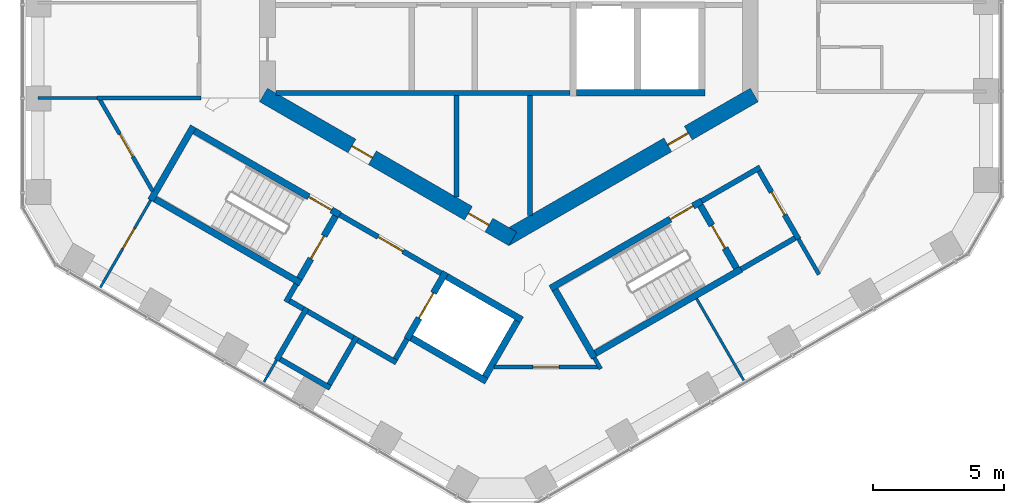
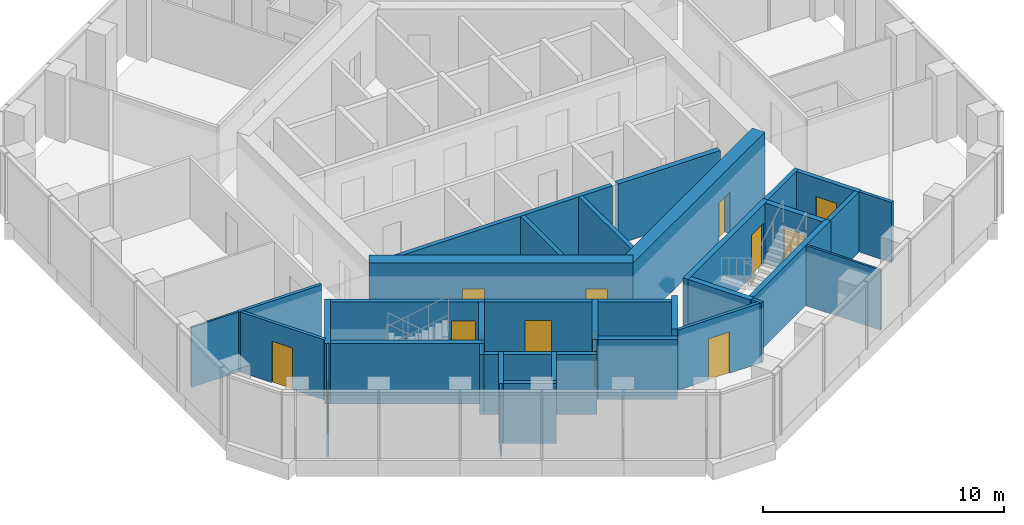
# One storey, part 14 of 18: 39 walls, 13 doors, 13 openings.
"""IFC4 building model written with IfcOpenShell, lengths in metres."""

import ifcopenshell
import ifcopenshell.guid

model = None  # the IFC model being written
_history = None  # IfcOwnerHistory: only IFC2X3 demands one
_inside = {}  # id of a spatial element -> (the spatial element, [elements in it])
_under = {}  # id of a project, library or spatial element -> (it, [spatial elements below it])
_declared = {}  # id of a project -> (the project, [libraries it declares])
_typed = {}  # id of a type object -> (the type object, [elements of that type])
_made_of = {}  # id of a material, layer set ... -> (it, [elements and type objects made of it])


def new_model(schema):
    """Start an empty IFC model of exactly this schema.

    Asked for "IFC4X3", IfcOpenShell would pick the latest addendum, in which some entities
    have other attributes; the version numbers below select the first issue.
    IFC2X3 requires an IfcOwnerHistory on every rooted entity: one is made here for all.
    """
    global model, _history
    if schema == "IFC4X3":
        model = ifcopenshell.file(schema_version=(4, 3, 0, 0))
    else:
        model = ifcopenshell.file(schema=schema)
    _inside.clear()
    _under.clear()
    _declared.clear()
    _typed.clear()
    _made_of.clear()
    _history = None
    if model.schema == "IFC2X3":
        org = make("IfcOrganization", Name="unknown")
        user = make(
            "IfcPersonAndOrganization",
            ThePerson=make("IfcPerson", FamilyName="unknown"),
            TheOrganization=org,
        )
        app = make(
            "IfcApplication",
            ApplicationDeveloper=org,
            Version="unknown",
            ApplicationFullName="unknown",
            ApplicationIdentifier="unknown",
        )
        _history = make(
            "IfcOwnerHistory",
            OwningUser=user,
            OwningApplication=app,
            ChangeAction="ADDED",
            CreationDate=0,
        )
    return model


def make(cls, **values):
    """One entity of the class cls with the attributes given. An attribute that is None is left unset."""
    return model.create_entity(
        cls, **{name: value for name, value in values.items() if value is not None}
    )


def rooted(cls, **values):
    """An entity with a GlobalId (a new one), such as an element, a storey or a relation."""
    return make(cls, GlobalId=ifcopenshell.guid.new(), OwnerHistory=_history, **values)


def si_unit(unit_type, name, prefix=None):
    """IfcSIUnit, for example si_unit("LENGTHUNIT", "METRE", prefix="MILLI")."""
    return make("IfcSIUnit", UnitType=unit_type, Prefix=prefix, Name=name)


def assignment(units):
    """IfcUnitAssignment: the units of a project."""
    return None if units is None else make("IfcUnitAssignment", Units=units)


def point(xyz):
    """IfcCartesianPoint."""
    return None if xyz is None else make("IfcCartesianPoint", Coordinates=xyz)


def direction(xyz):
    """IfcDirection."""
    return None if xyz is None else make("IfcDirection", DirectionRatios=xyz)


def frame(location, z_axis=None, x_axis=None):
    """IfcAxis2Placement3D, a coordinate frame: its origin and axes. An axis left out is left unset."""
    return make(
        "IfcAxis2Placement3D",
        Location=point(location),
        Axis=direction(z_axis),
        RefDirection=direction(x_axis),
    )


def frame_2d(location, x_axis=None):
    """IfcAxis2Placement2D, a coordinate frame in the plane: its origin and x axis."""
    return make(
        "IfcAxis2Placement2D", Location=point(location), RefDirection=direction(x_axis)
    )


def origin():
    """The frame at (0, 0, 0) with its axes left unset."""
    return frame((0.0, 0.0, 0.0))


def place(relative_to, where):
    """IfcLocalPlacement: puts the frame where relative to a parent placement (None: the world)."""
    return make(
        "IfcLocalPlacement", PlacementRelTo=relative_to, RelativePlacement=where
    )


def context(
    kind, dimensions, precision=None, world=None, true_north=None, identifier=None
):
    """IfcGeometricRepresentationContext, for example the 3D "Model" context."""
    return make(
        "IfcGeometricRepresentationContext",
        ContextIdentifier=identifier,
        ContextType=kind,
        CoordinateSpaceDimension=dimensions,
        Precision=precision,
        WorldCoordinateSystem=world,
        TrueNorth=true_north,
    )


def subcontext(parent, identifier, kind, view, scale=None):
    """IfcGeometricRepresentationSubContext, for example "Body" below "Model"."""
    return make(
        "IfcGeometricRepresentationSubContext",
        ContextIdentifier=identifier,
        ContextType=kind,
        ParentContext=parent,
        TargetScale=scale,
        TargetView=view,
    )


def project(units=None, contexts=None):
    """IfcProject with its units and contexts."""
    return rooted(
        "IfcProject",
        Name="project",
        RepresentationContexts=contexts,
        UnitsInContext=assignment(units),
    )


def spatial(cls, under=None, at=None, **own):
    """A site, building, storey or space (cls), placed at a placement, below another one or the project."""
    s = rooted(cls, ObjectPlacement=at, **own)
    if under is not None:
        _under.setdefault(under.id(), (under, []))[1].append(s)
    return s


def profile(cls, at=None, kind="AREA", **sizes):
    """A parametric profile (cls). Its sizes go by their IFC names, for example OverallWidth=200.0."""
    return make(cls, ProfileType=kind, Position=at, **sizes)


def rectangle(**sizes):
    """IfcRectangleProfileDef."""
    return profile("IfcRectangleProfileDef", **sizes)


def extrude(swept, where, along, depth):
    """IfcExtrudedAreaSolid: the profile swept, set in the frame where, extruded along a direction by depth."""
    return make(
        "IfcExtrudedAreaSolid",
        SweptArea=swept,
        Position=where,
        ExtrudedDirection=direction(along),
        Depth=depth,
    )


def shape(context_of_items, identifier, shape_type, items):
    """IfcShapeRepresentation: the items that make up one representation, for example the "Body"."""
    return make(
        "IfcShapeRepresentation",
        ContextOfItems=context_of_items,
        RepresentationIdentifier=identifier,
        RepresentationType=shape_type,
        Items=items,
    )


def material(Name=None, Category=None):
    """IfcMaterial."""
    return make("IfcMaterial", Name=Name, Category=Category)


def layer(
    of_material, thickness, ventilated=None, Name=None, Category=None, Priority=None
):
    """IfcMaterialLayer: one layer of a wall or slab, of a material (None: an air gap)."""
    return make(
        "IfcMaterialLayer",
        Material=of_material,
        LayerThickness=thickness,
        IsVentilated=ventilated,
        Name=Name,
        Category=Category,
        Priority=Priority,
    )


def layer_set(layers, Name=None):
    """IfcMaterialLayerSet."""
    return make("IfcMaterialLayerSet", MaterialLayers=layers, LayerSetName=Name)


def made_of(thing, what):
    """Note that an element or type object is made of a material, layer set ...; save() writes the relation."""
    if what is not None:
        _made_of.setdefault(what.id(), (what, []))[1].append(thing)
    return thing


def type_object(cls, material=None, **own):
    """A type object (cls), such as IfcWallType, which elements share."""
    return made_of(rooted(cls, **own), material)


def element(
    cls,
    number,
    at=None,
    inside=None,
    cuts=None,
    type_object=None,
    material=None,
    context=None,
    identifier="Body",
    shape_type=None,
    held_by="IfcProductDefinitionShape",
    body=None,
    shapes=None,
    **own,
):
    """One element of the class cls, such as IfcWall. Its Tag is "e" and its number.

    at: its placement. inside: the storey or other place that contains it. cuts: it is an
    opening in that element (IfcRelVoidsElement). A single representation is given by context,
    identifier, shape_type and body (its items); several are given by shapes. held_by: the class
    of the entity that holds the representations. save() writes the other relations.
    """
    e = rooted(cls, Tag="e%d" % number, ObjectPlacement=at, **own)
    if body is not None:
        shapes = [shape(context, identifier, shape_type, body)]
    if shapes is not None:
        e.Representation = make(held_by, Representations=shapes)
    if inside is not None:
        _inside.setdefault(inside.id(), (inside, []))[1].append(e)
    if cuts is not None:
        rooted(
            "IfcRelVoidsElement", RelatingBuildingElement=cuts, RelatedOpeningElement=e
        )
    if type_object is not None:
        _typed.setdefault(type_object.id(), (type_object, []))[1].append(e)
    return made_of(e, material)


def fill(opening, filler):
    """IfcRelFillsElement: the door or window that sits in an opening."""
    return rooted(
        "IfcRelFillsElement",
        RelatingOpeningElement=opening,
        RelatedBuildingElement=filler,
    )


def aggregate(whole, parts):
    """IfcRelAggregates: a whole, such as a stair, and the parts it consists of."""
    return rooted("IfcRelAggregates", RelatingObject=whole, RelatedObjects=parts)


def save(model, path):
    """Write the relations noted so far, then the file.

    IfcRelAggregates (storeys below a building ...), IfcRelContainedInSpatialStructure (elements
    in a storey), IfcRelDefinesByType, IfcRelAssociatesMaterial and IfcRelDeclares: one each for
    every whole, place, type object, material and project.
    """
    for whole, parts in _under.values():
        aggregate(whole, parts)
    for where, things in _inside.values():
        rooted(
            "IfcRelContainedInSpatialStructure",
            RelatedElements=things,
            RelatingStructure=where,
        )
    for kind, things in _typed.values():
        rooted("IfcRelDefinesByType", RelatedObjects=things, RelatingType=kind)
    for what, things in _made_of.values():
        rooted("IfcRelAssociatesMaterial", RelatedObjects=things, RelatingMaterial=what)
    for by, libraries in _declared.values():
        rooted("IfcRelDeclares", RelatingContext=by, RelatedDefinitions=libraries)
    model.write(path)


model = new_model("IFC4")

# Units and contexts
model_context = context("Model", 3, precision=1e-05, world=origin(), true_north=direction((0.0, 1.0)))
body_context = subcontext(model_context, "Body", "Model", "MODEL_VIEW")
ifc_project = project(units=[si_unit("LENGTHUNIT", "METRE"), si_unit("AREAUNIT", "SQUARE_METRE"), si_unit("VOLUMEUNIT", "CUBIC_METRE"), si_unit("PLANEANGLEUNIT", "RADIAN"), si_unit("MASSUNIT", "GRAM", prefix="KILO")], contexts=[model_context])

# Site, building, storey
site_placement = place(None, origin())
site = spatial("IfcSite", under=ifc_project, at=site_placement, CompositionType="ELEMENT")
building_placement = place(site_placement, origin())
building = spatial("IfcBuilding", under=site, at=building_placement, Name="Ayvan Gate Tower", CompositionType="ELEMENT")
storey_placement = place(building_placement, frame((0.0, 0.0, 166.300048828125)))
storey = spatial("IfcBuildingStorey", under=building, at=storey_placement, Name="L44", CompositionType="ELEMENT", Elevation=166.300048828125)

# Wall, openings, doors
ifc_material_1 = material(Name="Concrete C60/75", Category="concrete")
ifc_layer_1 = layer(ifc_material_1, 0.60009765625)
ifc_layer_set_1 = layer_set([ifc_layer_1], Name="Concrete C60/75")
wall_type_1 = type_object("IfcWallType", Name="Core wall 600 C60/75", PredefinedType="SHEAR", material=ifc_layer_set_1)
wall_1_placement = place(storey_placement, frame((-9.35009765625, -5.22509765625, 0.0), z_axis=(0.0, 0.0, 1.0), x_axis=(0.866023993627, -0.500002442456, 0.0)))
wall_1 = element("IfcWall", 1, at=wall_1_placement, inside=storey, type_object=wall_type_1, Name="CORE-L44-4", PredefinedType="SHEAR", context=body_context, shape_type="SweptSolid", body=[
    extrude(rectangle(XDim=10.9697265625, YDim=0.60009765625, at=frame_2d((5.48486328125, 0.0))), origin(), (0.0, 0.0, 1.0), 3.39990234375),
])
opening_1_placement = place(wall_1_placement, frame((3.891357421875, 0.0, 0.0)))
opening_1 = element("IfcOpeningElement", 2, at=opening_1_placement, cuts=wall_1, Name="Opening L44-D41", PredefinedType="OPENING", context=body_context, shape_type="SweptSolid", body=[
    extrude(rectangle(XDim=0.89990234375, YDim=2.10009765625, at=frame_2d((0.449951171875, 1.050048828125))), frame((0.0, 0.31005859375, 0.0), z_axis=(0.0, -1.0, 0.0), x_axis=(1.0, 0.0, 0.0)), (0.0, 0.0, 1.0), 0.6201171875),
])
opening_2_placement = place(wall_1_placement, frame((9.01806640625, 0.0, 0.0)))
opening_2 = element("IfcOpeningElement", 3, at=opening_2_placement, cuts=wall_1, Name="Opening L44-D42", PredefinedType="OPENING", context=body_context, shape_type="SweptSolid", body=[
    extrude(rectangle(XDim=0.89990234375, YDim=2.10009765625, at=frame_2d((0.449951171875, 1.050048828125))), frame((0.0, 0.31005859375, 0.0), z_axis=(0.0, -1.0, 0.0), x_axis=(1.0, 0.0, 0.0)), (0.0, 0.0, 1.0), 0.6201171875),
])
ifc_material_2 = material(Name="Timber door leaf", Category="wood")
door_type_1 = type_object("IfcDoorType", Name="DT-900", OperationType="NOTDEFINED", PredefinedType="DOOR", material=ifc_material_2)
door_1_placement = place(opening_1_placement, origin())
door_1 = element("IfcDoor", 4, at=door_1_placement, inside=storey, type_object=door_type_1, Name="CD-L44-41", OperationType="SINGLE_SWING_LEFT", OverallHeight=2.10009765625, OverallWidth=0.89990234375, PredefinedType="DOOR", context=body_context, shape_type="SweptSolid", body=[
    extrude(rectangle(XDim=0.89990234375, YDim=2.10009765625, at=frame_2d((0.449951171875, 1.050048828125))), frame((0.0, 0.02490234375, 0.0), z_axis=(0.0, -1.0, 0.0), x_axis=(1.0, 0.0, 0.0)), (0.0, 0.0, 1.0), 0.050048828125),
])
fill(opening_1, door_1)
door_2_placement = place(opening_2_placement, origin())
door_2 = element("IfcDoor", 5, at=door_2_placement, inside=storey, type_object=door_type_1, Name="CD-L44-42", OperationType="SINGLE_SWING_RIGHT", OverallHeight=2.10009765625, OverallWidth=0.89990234375, PredefinedType="DOOR", context=body_context, shape_type="SweptSolid", body=[
    extrude(rectangle(XDim=0.89990234375, YDim=2.10009765625, at=frame_2d((0.449951171875, 1.050048828125))), frame((0.0, 0.02490234375, 0.0), z_axis=(0.0, -1.0, 0.0), x_axis=(1.0, 0.0, 0.0)), (0.0, 0.0, 1.0), 0.050048828125),
])
fill(opening_2, door_2)

# Wall, opening, door
wall_2_placement = place(storey_placement, frame((-0.14990234375, -10.7099609375, 0.0), z_axis=(0.0, 0.0, 1.0), x_axis=(0.866023993627, 0.500002442456, 0.0)))
wall_2 = element("IfcWall", 6, at=wall_2_placement, inside=storey, type_object=wall_type_1, Name="CORE-L44-5", PredefinedType="SHEAR", context=body_context, shape_type="SweptSolid", body=[
    extrude(rectangle(XDim=10.9697265625, YDim=0.60009765625, at=frame_2d((5.48486328125, 0.0))), origin(), (0.0, 0.0, 1.0), 3.39990234375),
])
opening_3_placement = place(wall_2_placement, frame((7.165771484375, 0.0, 0.0)))
opening_3 = element("IfcOpeningElement", 7, at=opening_3_placement, cuts=wall_2, Name="Opening L44-D43", PredefinedType="OPENING", context=body_context, shape_type="SweptSolid", body=[
    extrude(rectangle(XDim=0.89990234375, YDim=2.10009765625, at=frame_2d((0.449951171875, 1.050048828125))), frame((0.0, 0.31005859375, 0.0), z_axis=(0.0, -1.0, 0.0), x_axis=(1.0, 0.0, 0.0)), (0.0, 0.0, 1.0), 0.6201171875),
])
door_3_placement = place(opening_3_placement, origin())
door_3 = element("IfcDoor", 8, at=door_3_placement, inside=storey, type_object=door_type_1, Name="CD-L44-43", OperationType="SINGLE_SWING_LEFT", OverallHeight=2.10009765625, OverallWidth=0.89990234375, PredefinedType="DOOR", context=body_context, shape_type="SweptSolid", body=[
    extrude(rectangle(XDim=0.89990234375, YDim=2.10009765625, at=frame_2d((0.449951171875, 1.050048828125))), frame((0.0, 0.02490234375, 0.0), z_axis=(0.0, -1.0, 0.0), x_axis=(1.0, 0.0, 0.0)), (0.0, 0.0, 1.0), 0.050048828125),
])
fill(opening_3, door_3)

# Wall
ifc_material_3 = material(Name="Plasterboard on steel stud", Category="steel")
ifc_layer_2 = layer(ifc_material_3, 0.14990234375)
ifc_layer_set_2 = layer_set([ifc_layer_2], Name="Plasterboard on steel stud")
wall_type_2 = type_object("IfcWallType", Name="WT-CORR-150", PredefinedType="PARTITIONING", material=ifc_layer_set_2)
wall_3_placement = place(storey_placement, frame((-15.695068359375, -5.343017578125, 0.0), z_axis=(0.0, 0.0, 1.0), x_axis=(1.0, 0.0, 0.0)))
element("IfcWall", 9, at=wall_3_placement, inside=storey, type_object=wall_type_2, Name="IW-L44-003", PredefinedType="PARTITIONING", context=body_context, shape_type="SweptSolid", body=[
    extrude(rectangle(XDim=3.97021484375, YDim=0.14990234375, at=frame_2d((1.985107421875, 0.0))), origin(), (0.0, 0.0, 1.0), 3.050048828125),
])

# Wall, opening, door
wall_4_placement = place(storey_placement, frame((-13.57177734375, -8.890625, 0.0), z_axis=(0.0, 0.0, 1.0), x_axis=(-0.500004480819, 0.866022816767, 0.0)))
wall_4 = element("IfcWall", 10, at=wall_4_placement, inside=storey, type_object=wall_type_2, Name="IW-L44-006", PredefinedType="PARTITIONING", context=body_context, shape_type="SweptSolid", body=[
    extrude(rectangle(XDim=4.021484375, YDim=0.14990234375, at=frame_2d((2.0107421875, 0.0))), origin(), (0.0, 0.0, 1.0), 3.050048828125),
])
opening_4_placement = place(wall_4_placement, frame((1.5107421875, 0.0, 0.0)))
opening_4 = element("IfcOpeningElement", 11, at=opening_4_placement, cuts=wall_4, Name="Opening L44-D30", PredefinedType="OPENING", context=body_context, shape_type="SweptSolid", body=[
    extrude(rectangle(XDim=1.0, YDim=2.10009765625, at=frame_2d((0.5, 1.050048828125))), frame((0.0, 0.0849609375, 0.0), z_axis=(0.0, -1.0, 0.0), x_axis=(1.0, 0.0, 0.0)), (0.0, 0.0, 1.0), 0.169921875),
])
door_type_2 = type_object("IfcDoorType", Name="DT-1000", OperationType="NOTDEFINED", PredefinedType="DOOR", material=ifc_material_2)
door_4_placement = place(opening_4_placement, origin())
door_4 = element("IfcDoor", 12, at=door_4_placement, inside=storey, type_object=door_type_2, Name="ID-L44-030", OperationType="SINGLE_SWING_RIGHT", OverallHeight=2.10009765625, OverallWidth=1.0, PredefinedType="DOOR", context=body_context, shape_type="SweptSolid", body=[
    extrude(rectangle(XDim=1.0, YDim=2.10009765625, at=frame_2d((0.5, 1.050048828125))), frame((0.0, 0.02490234375, 0.0), z_axis=(0.0, -1.0, 0.0), x_axis=(1.0, 0.0, 0.0)), (0.0, 0.0, 1.0), 0.050048828125),
])
fill(opening_4, door_4)

# Wall
wall_5_placement = place(storey_placement, frame((3.255615234375, -15.23876953125, 0.0), z_axis=(0.0, 0.0, 1.0), x_axis=(0.499937760689, -0.866061334686, 0.0)))
element("IfcWall", 13, at=wall_5_placement, inside=storey, type_object=wall_type_2, Name="IW-L44-061", PredefinedType="PARTITIONING", context=body_context, shape_type="SweptSolid", body=[
    extrude(rectangle(XDim=0.49072265625, YDim=0.14990234375, at=frame_2d((0.245361328125, 0.0))), origin(), (0.0, 0.0, 1.0), 3.050048828125),
])

# Wall, opening, door
wall_6_placement = place(storey_placement, frame((3.388427734375, -15.598876953125, 0.0), z_axis=(0.0, 0.0, 1.0), x_axis=(-1.0, 0.0, 0.0)))
wall_6 = element("IfcWall", 14, at=wall_6_placement, inside=storey, type_object=wall_type_2, Name="IW-L44-063", PredefinedType="PARTITIONING", context=body_context, shape_type="SweptSolid", body=[
    extrude(rectangle(XDim=3.95556640625, YDim=0.14990234375, at=frame_2d((1.977783203125, 0.0))), origin(), (0.0, 0.0, 1.0), 3.050048828125),
])
opening_5_placement = place(wall_6_placement, frame((1.477783203125, 0.0, 0.0)))
opening_5 = element("IfcOpeningElement", 15, at=opening_5_placement, cuts=wall_6, Name="Opening L44-D32", PredefinedType="OPENING", context=body_context, shape_type="SweptSolid", body=[
    extrude(rectangle(XDim=1.0, YDim=2.10009765625, at=frame_2d((0.5, 1.050048828125))), frame((0.0, 0.0849609375, 0.0), z_axis=(0.0, -1.0, 0.0), x_axis=(1.0, 0.0, 0.0)), (0.0, 0.0, 1.0), 0.169921875),
])
door_5_placement = place(opening_5_placement, origin())
door_5 = element("IfcDoor", 16, at=door_5_placement, inside=storey, type_object=door_type_2, Name="ID-L44-032", OperationType="SINGLE_SWING_RIGHT", OverallHeight=2.10009765625, OverallWidth=1.0, PredefinedType="DOOR", context=body_context, shape_type="SweptSolid", body=[
    extrude(rectangle(XDim=1.0, YDim=2.10009765625, at=frame_2d((0.5, 1.050048828125))), frame((0.0, 0.02490234375, 0.0), z_axis=(0.0, -1.0, 0.0), x_axis=(1.0, 0.0, 0.0)), (0.0, 0.0, 1.0), 0.050048828125),
])
fill(opening_5, door_5)

# Walls
wall_7_placement = place(storey_placement, frame((11.814697265625, -12.063720703125, 0.0), z_axis=(0.0, 0.0, 1.0), x_axis=(-0.499921796684, 0.866070549782, 0.0)))
element("IfcWall", 17, at=wall_7_placement, inside=storey, type_object=wall_type_2, Name="IW-L44-085", PredefinedType="PARTITIONING", context=body_context, shape_type="SweptSolid", body=[
    extrude(rectangle(XDim=1.554931640625, YDim=0.14990234375, at=frame_2d((0.77734375, 0.0))), origin(), (0.0, 0.0, 1.0), 3.050048828125),
])
ifc_layer_3 = layer(ifc_material_3, 0.10009765625)
ifc_layer_set_3 = layer_set([ifc_layer_3], Name="Plasterboard on steel stud")
wall_type_3 = type_object("IfcWallType", Name="WT-PART-100", PredefinedType="PARTITIONING", material=ifc_layer_set_3)
wall_8_placement = place(storey_placement, frame((-15.695068359375, -5.343017578125, 0.0), z_axis=(0.0, 0.0, 1.0), x_axis=(-1.0, 0.0, 0.0)))
element("IfcWall", 18, at=wall_8_placement, inside=storey, type_object=wall_type_3, Name="IW-L44-002", PredefinedType="PARTITIONING", context=body_context, shape_type="SweptSolid", body=[
    extrude(rectangle(XDim=2.254150390625, YDim=0.10009765625, at=frame_2d((1.126953125, 0.0))), origin(), (0.0, 0.0, 1.0), 3.050048828125),
])

# Wall, opening, door
wall_9_placement = place(storey_placement, frame((-13.647705078125, -9.23876953125, 0.0), z_axis=(0.0, 0.0, 1.0), x_axis=(-0.500044099915, -0.86599994119, 0.0)))
wall_9 = element("IfcWall", 19, at=wall_9_placement, inside=storey, type_object=wall_type_3, Name="IW-L44-005", PredefinedType="PARTITIONING", context=body_context, shape_type="SweptSolid", body=[
    extrude(rectangle(XDim=3.832763671875, YDim=0.10009765625, at=frame_2d((1.91650390625, 0.0))), origin(), (0.0, 0.0, 1.0), 3.050048828125),
])
opening_6_placement = place(wall_9_placement, frame((1.230712890625, 0.0, 0.0)))
opening_6 = element("IfcOpeningElement", 20, at=opening_6_placement, cuts=wall_9, Name="Opening L44-D31", PredefinedType="OPENING", context=body_context, shape_type="SweptSolid", body=[
    extrude(rectangle(XDim=0.89990234375, YDim=2.10009765625, at=frame_2d((0.449951171875, 1.050048828125))), frame((0.0, 0.06005859375, 0.0), z_axis=(0.0, -1.0, 0.0), x_axis=(1.0, 0.0, 0.0)), (0.0, 0.0, 1.0), 0.1201171875),
])
door_6_placement = place(opening_6_placement, origin())
door_6 = element("IfcDoor", 21, at=door_6_placement, inside=storey, type_object=door_type_1, Name="ID-L44-031", OperationType="SINGLE_SWING_LEFT", OverallHeight=2.10009765625, OverallWidth=0.89990234375, PredefinedType="DOOR", context=body_context, shape_type="SweptSolid", body=[
    extrude(rectangle(XDim=0.89990234375, YDim=2.10009765625, at=frame_2d((0.449951171875, 1.050048828125))), frame((0.0, 0.02490234375, 0.0), z_axis=(0.0, -1.0, 0.0), x_axis=(1.0, 0.0, 0.0)), (0.0, 0.0, 1.0), 0.050048828125),
])
fill(opening_6, door_6)

# Walls
wall_10_placement = place(storey_placement, frame((-8.85009765625, -15.32861328125, 0.0), z_axis=(0.0, 0.0, 1.0), x_axis=(-0.499950501706, -0.866053979752, 0.0)))
element("IfcWall", 22, at=wall_10_placement, inside=storey, type_object=wall_type_3, Name="IW-L44-017", PredefinedType="PARTITIONING", context=body_context, shape_type="SweptSolid", body=[
    extrude(rectangle(XDim=0.95751953125, YDim=0.10009765625, at=frame_2d((0.478759765625, 0.0))), origin(), (0.0, 0.0, 1.0), 3.050048828125),
])
wall_11_placement = place(storey_placement, frame((7.152587890625, -12.98876953125, 0.0), z_axis=(0.0, 0.0, 1.0), x_axis=(0.500002649256, -0.86602387423, 0.0)))
element("IfcWall", 23, at=wall_11_placement, inside=storey, type_object=wall_type_3, Name="IW-L44-072", PredefinedType="PARTITIONING", context=body_context, shape_type="SweptSolid", body=[
    extrude(rectangle(XDim=3.59521484375, YDim=0.10009765625, at=frame_2d((1.797607421875, 0.0))), origin(), (0.0, 0.0, 1.0), 3.050048828125),
])
ifc_layer_4 = layer(ifc_material_3, 0.199951171875)
ifc_layer_set_4 = layer_set([ifc_layer_4], Name="Plasterboard on steel stud")
wall_type_4 = type_object("IfcWallType", Name="WT-PLUMB-200", PredefinedType="PLUMBINGWALL", material=ifc_layer_set_4)
wall_12_placement = place(storey_placement, frame((-8.85009765625, -15.32861328125, 0.0), z_axis=(0.0, 0.0, 1.0), x_axis=(0.500077740698, 0.865980515519, 0.0)))
element("IfcWall", 24, at=wall_12_placement, inside=storey, type_object=wall_type_4, Name="IW-L44-016", PredefinedType="PLUMBINGWALL", context=body_context, shape_type="SweptSolid", body=[
    extrude(rectangle(XDim=2.300048828125, YDim=0.199951171875, at=frame_2d((1.14990234375, 0.0))), origin(), (0.0, 0.0, 1.0), 3.050048828125),
])
wall_13_placement = place(storey_placement, frame((-6.80810546875, -16.39208984375, 0.0), z_axis=(0.0, 0.0, 1.0), x_axis=(-0.866008176907, 0.50002983664, 0.0)))
element("IfcWall", 25, at=wall_13_placement, inside=storey, type_object=wall_type_4, Name="IW-L44-024", PredefinedType="PLUMBINGWALL", context=body_context, shape_type="SweptSolid", body=[
    extrude(rectangle(XDim=2.199951171875, YDim=0.199951171875, at=frame_2d((1.10009765625, 0.0))), origin(), (0.0, 0.0, 1.0), 3.050048828125),
])
wall_14_placement = place(storey_placement, frame((-5.794677734375, -14.436767578125, 0.0), z_axis=(0.0, 0.0, 1.0), x_axis=(-0.500027713859, -0.866009402589, 0.0)))
element("IfcWall", 26, at=wall_14_placement, inside=storey, type_object=wall_type_4, Name="IW-L44-027", PredefinedType="PLUMBINGWALL", context=body_context, shape_type="SweptSolid", body=[
    extrude(rectangle(XDim=2.10009765625, YDim=0.199951171875, at=frame_2d((1.050048828125, 0.0))), origin(), (0.0, 0.0, 1.0), 3.050048828125),
])
wall_15_placement = place(storey_placement, frame((-5.931396484375, -14.473388671875, 0.0), z_axis=(0.0, 0.0, 1.0), x_axis=(-0.866041268327, 0.499972520799, 0.0)))
element("IfcWall", 27, at=wall_15_placement, inside=storey, type_object=wall_type_4, Name="IW-L44-028", PredefinedType="PLUMBINGWALL", context=body_context, shape_type="SweptSolid", body=[
    extrude(rectangle(XDim=2.0, YDim=0.199951171875, at=frame_2d((1.0, 0.0))), origin(), (0.0, 0.0, 1.0), 3.050048828125),
])
ifc_layer_5 = layer(ifc_material_3, 0.199951171875)
ifc_layer_set_5 = layer_set([ifc_layer_5], Name="Plasterboard on steel stud")
wall_type_5 = type_object("IfcWallType", Name="WT-RATED-200", PredefinedType="PARTITIONING", material=ifc_layer_set_5)
wall_16_placement = place(storey_placement, frame((-8.8798828125, -5.14990234375, 0.0), z_axis=(0.0, 0.0, 1.0), x_axis=(1.0, 0.0, 0.0)))
element("IfcWall", 28, at=wall_16_placement, inside=storey, type_object=wall_type_5, Name="IW-L44-015", PredefinedType="PARTITIONING", context=body_context, shape_type="SweptSolid", body=[
    extrude(rectangle(XDim=11.205078125, YDim=0.199951171875, at=frame_2d((5.6025390625, 0.0))), origin(), (0.0, 0.0, 1.0), 3.050048828125),
])
wall_17_placement = place(storey_placement, frame((-8.492919921875, -13.110107421875, 0.0), z_axis=(0.0, 0.0, 1.0), x_axis=(0.500067724834, 0.865986299303, 0.0)))
element("IfcWall", 29, at=wall_17_placement, inside=storey, type_object=wall_type_5, Name="IW-L44-018", PredefinedType="PARTITIONING", context=body_context, shape_type="SweptSolid", body=[
    extrude(rectangle(XDim=0.775390625, YDim=0.199951171875, at=frame_2d((0.3876953125, 0.0))), origin(), (0.0, 0.0, 1.0), 3.050048828125),
])
wall_18_placement = place(storey_placement, frame((-7.83642578125, -13.373291015625, 0.0), z_axis=(0.0, 0.0, 1.0), x_axis=(-0.866232998003, 0.499640263761, 0.0)))
element("IfcWall", 30, at=wall_18_placement, inside=storey, type_object=wall_type_5, Name="IW-L44-020", PredefinedType="PARTITIONING", context=body_context, shape_type="SweptSolid", body=[
    extrude(rectangle(XDim=0.60009765625, YDim=0.199951171875, at=frame_2d((0.300048828125, 0.0))), origin(), (0.0, 0.0, 1.0), 3.050048828125),
])

# Wall, opening, door
wall_19_placement = place(storey_placement, frame((-6.4345703125, -9.794921875, 0.0), z_axis=(0.0, 0.0, 1.0), x_axis=(0.866012907634, -0.500021643343, 0.0)))
wall_19 = element("IfcWall", 31, at=wall_19_placement, inside=storey, type_object=wall_type_5, Name="IW-L44-026", PredefinedType="PARTITIONING", context=body_context, shape_type="SweptSolid", body=[
    extrude(rectangle(XDim=4.449951171875, YDim=0.199951171875, at=frame_2d((2.22509765625, 0.0))), origin(), (0.0, 0.0, 1.0), 3.050048828125),
])
opening_7_placement = place(wall_19_placement, frame((1.675048828125, 0.0, 0.0)))
opening_7 = element("IfcOpeningElement", 32, at=opening_7_placement, cuts=wall_19, Name="Opening L44-D17", PredefinedType="OPENING", context=body_context, shape_type="SweptSolid", body=[
    extrude(rectangle(XDim=1.10009765625, YDim=2.10009765625, at=frame_2d((0.550048828125, 1.050048828125))), frame((0.0, 0.10986328125, 0.0), z_axis=(0.0, -1.0, 0.0), x_axis=(1.0, 0.0, 0.0)), (0.0, 0.0, 1.0), 0.219970703125),
])
door_type_3 = type_object("IfcDoorType", Name="DT-1100", OperationType="NOTDEFINED", PredefinedType="DOOR", material=ifc_material_2)
door_7_placement = place(opening_7_placement, origin())
door_7 = element("IfcDoor", 33, at=door_7_placement, inside=storey, type_object=door_type_3, Name="ID-L44-017", OperationType="SINGLE_SWING_LEFT", OverallHeight=2.10009765625, OverallWidth=1.10009765625, PredefinedType="DOOR", context=body_context, shape_type="SweptSolid", body=[
    extrude(rectangle(XDim=1.10009765625, YDim=2.10009765625, at=frame_2d((0.550048828125, 1.050048828125))), frame((0.0, 0.02490234375, 0.0), z_axis=(0.0, -1.0, 0.0), x_axis=(1.0, 0.0, 0.0)), (0.0, 0.0, 1.0), 0.050048828125),
])
fill(opening_7, door_7)

# Walls
wall_20_placement = place(storey_placement, frame((-4.285888671875, -15.42333984375, 0.0), z_axis=(0.0, 0.0, 1.0), x_axis=(-0.866025371046, 0.500000056704, 0.0)))
element("IfcWall", 34, at=wall_20_placement, inside=storey, type_object=wall_type_5, Name="IW-L44-030", PredefinedType="PARTITIONING", context=body_context, shape_type="SweptSolid", body=[
    extrude(rectangle(XDim=1.7001953125, YDim=0.199951171875, at=frame_2d((0.85009765625, 0.0))), origin(), (0.0, 0.0, 1.0), 3.050048828125),
])
wall_21_placement = place(storey_placement, frame((-3.885009765625, -14.52880859375, 0.0), z_axis=(0.0, 0.0, 1.0), x_axis=(-0.499859285417, -0.866106630146, 0.0)))
element("IfcWall", 35, at=wall_21_placement, inside=storey, type_object=wall_type_5, Name="IW-L44-032", PredefinedType="PARTITIONING", context=body_context, shape_type="SweptSolid", body=[
    extrude(rectangle(XDim=0.875244140625, YDim=0.199951171875, at=frame_2d((0.4375, 0.0))), origin(), (0.0, 0.0, 1.0), 3.050048828125),
])
wall_22_placement = place(storey_placement, frame((-2.0, -5.25, 0.0), z_axis=(0.0, 0.0, 1.0), x_axis=(0.0, -1.0, 0.0)))
element("IfcWall", 36, at=wall_22_placement, inside=storey, type_object=wall_type_5, Name="IW-L44-044", PredefinedType="PARTITIONING", context=body_context, shape_type="SweptSolid", body=[
    extrude(rectangle(XDim=3.8720703125, YDim=0.199951171875, at=frame_2d((1.93603515625, 0.0))), origin(), (0.0, 0.0, 1.0), 3.050048828125),
])
wall_23_placement = place(storey_placement, frame((0.800048828125, -5.25, 0.0), z_axis=(0.0, 0.0, 1.0), x_axis=(0.0, -1.0, 0.0)))
element("IfcWall", 37, at=wall_23_placement, inside=storey, type_object=wall_type_5, Name="IW-L44-052", PredefinedType="PARTITIONING", context=body_context, shape_type="SweptSolid", body=[
    extrude(rectangle(XDim=4.56494140625, YDim=0.199951171875, at=frame_2d((2.282470703125, 0.0))), origin(), (0.0, 0.0, 1.0), 3.050048828125),
])
wall_24_placement = place(storey_placement, frame((7.343994140625, -9.27001953125, 0.0), z_axis=(0.0, 0.0, 1.0), x_axis=(0.866005588531, 0.500034319456, 0.0)))
element("IfcWall", 38, at=wall_24_placement, inside=storey, type_object=wall_type_5, Name="IW-L44-075", PredefinedType="PARTITIONING", context=body_context, shape_type="SweptSolid", body=[
    extrude(rectangle(XDim=2.574951171875, YDim=0.199951171875, at=frame_2d((1.28759765625, 0.0))), origin(), (0.0, 0.0, 1.0), 3.050048828125),
])

# Wall, opening, door
wall_25_placement = place(storey_placement, frame((9.537353515625, -8.119140625, 0.0), z_axis=(0.0, 0.0, 1.0), x_axis=(0.499990139034, -0.866031096941, 0.0)))
wall_25 = element("IfcWall", 39, at=wall_25_placement, inside=storey, type_object=wall_type_5, Name="IW-L44-083", PredefinedType="PARTITIONING", context=body_context, shape_type="SweptSolid", body=[
    extrude(rectangle(XDim=3.0, YDim=0.199951171875, at=frame_2d((1.5, 0.0))), origin(), (0.0, 0.0, 1.0), 3.050048828125),
])
opening_8_placement = place(wall_25_placement, frame((0.93505859375, 0.0, 0.0)))
opening_8 = element("IfcOpeningElement", 40, at=opening_8_placement, cuts=wall_25, Name="Opening L44-D20", PredefinedType="OPENING", context=body_context, shape_type="SweptSolid", body=[
    extrude(rectangle(XDim=1.0, YDim=2.10009765625, at=frame_2d((0.5, 1.050048828125))), frame((0.0, 0.10986328125, 0.0), z_axis=(0.0, -1.0, 0.0), x_axis=(1.0, 0.0, 0.0)), (0.0, 0.0, 1.0), 0.219970703125),
])
door_8_placement = place(opening_8_placement, origin())
door_8 = element("IfcDoor", 41, at=door_8_placement, inside=storey, type_object=door_type_2, Name="ID-L44-020", OperationType="SINGLE_SWING_RIGHT", OverallHeight=2.10009765625, OverallWidth=1.0, PredefinedType="DOOR", context=body_context, shape_type="SweptSolid", body=[
    extrude(rectangle(XDim=1.0, YDim=2.10009765625, at=frame_2d((0.5, 1.050048828125))), frame((0.0, 0.02490234375, 0.0), z_axis=(0.0, -1.0, 0.0), x_axis=(1.0, 0.0, 0.0)), (0.0, 0.0, 1.0), 0.050048828125),
])
fill(opening_8, door_8)

# Walls
wall_26_placement = place(storey_placement, frame((10.900634765625, -10.6806640625, 0.0), z_axis=(0.0, 0.0, 1.0), x_axis=(-0.866007538022, -0.500030943131, 0.0)))
element("IfcWall", 42, at=wall_26_placement, inside=storey, type_object=wall_type_5, Name="IW-L44-084", PredefinedType="PARTITIONING", context=body_context, shape_type="SweptSolid", body=[
    extrude(rectangle(XDim=2.374755859375, YDim=0.199951171875, at=frame_2d((1.1875, 0.0))), origin(), (0.0, 0.0, 1.0), 3.050048828125),
])
ifc_material_4 = material(Name="Concrete C50/60", Category="concrete")
ifc_layer_6 = layer(ifc_material_4, 0.25)
ifc_layer_set_6 = layer_set([ifc_layer_6], Name="Concrete C50/60")
wall_type_6 = type_object("IfcWallType", Name="WT-RC-250", PredefinedType="SHEAR", material=ifc_layer_set_6)
wall_27_placement = place(storey_placement, frame((-13.64794921875, -9.23876953125, 0.0), z_axis=(0.0, 0.0, 1.0), x_axis=(0.500017246033, 0.866015446554, 0.0)))
element("IfcWall", 43, at=wall_27_placement, inside=storey, type_object=wall_type_6, Name="IW-L44-004", PredefinedType="SHEAR", context=body_context, shape_type="SweptSolid", body=[
    extrude(rectangle(XDim=3.25, YDim=0.25, at=frame_2d((1.625, 0.0))), origin(), (0.0, 0.0, 1.0), 3.050048828125),
])

# Wall, opening, door
wall_28_placement = place(storey_placement, frame((-11.97705078125, -6.594970703125, 0.0), z_axis=(0.0, 0.0, 1.0), x_axis=(0.866025499775, -0.499999833739, 0.0)))
wall_28 = element("IfcWall", 44, at=wall_28_placement, inside=storey, type_object=wall_type_6, Name="IW-L44-009", PredefinedType="SHEAR", context=body_context, shape_type="SweptSolid", body=[
    extrude(rectangle(XDim=6.39990234375, YDim=0.25, at=frame_2d((3.199951171875, 0.0))), origin(), (0.0, 0.0, 1.0), 3.050048828125),
])
opening_9_placement = place(wall_28_placement, frame((5.02490234375, 0.0, 0.0)))
opening_9 = element("IfcOpeningElement", 45, at=opening_9_placement, cuts=wall_28, Name="Opening L44-D15", PredefinedType="OPENING", context=body_context, shape_type="SweptSolid", body=[
    extrude(rectangle(XDim=1.0, YDim=2.10009765625, at=frame_2d((0.5, 1.050048828125))), frame((0.0, 0.135009765625, 0.0), z_axis=(0.0, -1.0, 0.0), x_axis=(1.0, 0.0, 0.0)), (0.0, 0.0, 1.0), 0.27001953125),
])
door_9_placement = place(opening_9_placement, origin())
door_9 = element("IfcDoor", 46, at=door_9_placement, inside=storey, type_object=door_type_2, Name="ID-L44-015", OperationType="SINGLE_SWING_LEFT", OverallHeight=2.10009765625, OverallWidth=1.0, PredefinedType="DOOR", context=body_context, shape_type="SweptSolid", body=[
    extrude(rectangle(XDim=1.0, YDim=2.10009765625, at=frame_2d((0.5, 1.050048828125))), frame((0.0, 0.02490234375, 0.0), z_axis=(0.0, -1.0, 0.0), x_axis=(1.0, 0.0, 0.0)), (0.0, 0.0, 1.0), 0.050048828125),
])
fill(opening_9, door_9)

# Wall
wall_29_placement = place(storey_placement, frame((-7.9345703125, -12.39306640625, 0.0), z_axis=(0.0, 0.0, 1.0), x_axis=(-0.866025499775, 0.499999833739, 0.0)))
element("IfcWall", 47, at=wall_29_placement, inside=storey, type_object=wall_type_6, Name="IW-L44-019", PredefinedType="SHEAR", context=body_context, shape_type="SweptSolid", body=[
    extrude(rectangle(XDim=6.39990234375, YDim=0.25, at=frame_2d((3.199951171875, 0.0))), origin(), (0.0, 0.0, 1.0), 3.050048828125),
])

# Wall, opening, door
wall_30_placement = place(storey_placement, frame((-6.605224609375, -9.8408203125, 0.0), z_axis=(0.0, 0.0, 1.0), x_axis=(-0.499996545922, -0.866027397988, 0.0)))
wall_30 = element("IfcWall", 48, at=wall_30_placement, inside=storey, type_object=wall_type_6, Name="IW-L44-025", PredefinedType="SHEAR", context=body_context, shape_type="SweptSolid", body=[
    extrude(rectangle(XDim=2.75, YDim=0.25, at=frame_2d((1.375, 0.0))), origin(), (0.0, 0.0, 1.0), 3.050048828125),
])
opening_10_placement = place(wall_30_placement, frame((0.875, 0.0, 0.0)))
opening_10 = element("IfcOpeningElement", 49, at=opening_10_placement, cuts=wall_30, Name="Opening L44-D16", PredefinedType="OPENING", context=body_context, shape_type="SweptSolid", body=[
    extrude(rectangle(XDim=1.0, YDim=2.10009765625, at=frame_2d((0.5, 1.050048828125))), frame((0.0, 0.135009765625, 0.0), z_axis=(0.0, -1.0, 0.0), x_axis=(1.0, 0.0, 0.0)), (0.0, 0.0, 1.0), 0.27001953125),
])
door_10_placement = place(opening_10_placement, origin())
door_10 = element("IfcDoor", 50, at=door_10_placement, inside=storey, type_object=door_type_2, Name="ID-L44-016", OperationType="SINGLE_SWING_RIGHT", OverallHeight=2.10009765625, OverallWidth=1.0, PredefinedType="DOOR", context=body_context, shape_type="SweptSolid", body=[
    extrude(rectangle(XDim=1.0, YDim=2.10009765625, at=frame_2d((0.5, 1.050048828125))), frame((0.0, 0.02490234375, 0.0), z_axis=(0.0, -1.0, 0.0), x_axis=(1.0, 0.0, 0.0)), (0.0, 0.0, 1.0), 0.050048828125),
])
fill(opening_10, door_10)

wall_31_placement = place(storey_placement, frame((-2.409912109375, -11.97412109375, 0.0), z_axis=(0.0, 0.0, 1.0), x_axis=(-0.500001826776, -0.866024349092, 0.0)))
wall_31 = element("IfcWall", 51, at=wall_31_placement, inside=storey, type_object=wall_type_6, Name="IW-L44-039", PredefinedType="SHEAR", context=body_context, shape_type="SweptSolid", body=[
    extrude(rectangle(XDim=2.9501953125, YDim=0.25, at=frame_2d((1.47509765625, 0.0))), origin(), (0.0, 0.0, 1.0), 3.050048828125),
])
opening_11_placement = place(wall_31_placement, frame((0.925048828125, 0.0, 0.0)))
opening_11 = element("IfcOpeningElement", 52, at=opening_11_placement, cuts=wall_31, Name="Opening L44-LD-FF2", PredefinedType="OPENING", context=body_context, shape_type="SweptSolid", body=[
    extrude(rectangle(XDim=1.10009765625, YDim=2.10009765625, at=frame_2d((0.550048828125, 1.050048828125))), frame((0.0, 0.135009765625, 0.0), z_axis=(0.0, -1.0, 0.0), x_axis=(1.0, 0.0, 0.0)), (0.0, 0.0, 1.0), 0.27001953125),
])
ifc_material_5 = material(Name="Stainless steel landing door", Category="steel")
door_type_4 = type_object("IfcDoorType", Name="DT-LANDING-1100", OperationType="SLIDING_TO_LEFT", PredefinedType="DOOR", material=ifc_material_5)
door_11_placement = place(opening_11_placement, origin())
door_11 = element("IfcDoor", 53, at=door_11_placement, inside=storey, type_object=door_type_4, Name="ID-L44-018", OperationType="SLIDING_TO_LEFT", OverallHeight=2.10009765625, OverallWidth=1.10009765625, PredefinedType="DOOR", context=body_context, shape_type="SweptSolid", body=[
    extrude(rectangle(XDim=1.10009765625, YDim=2.10009765625, at=frame_2d((0.550048828125, 1.050048828125))), frame((0.0, 0.02490234375, 0.0), z_axis=(0.0, -1.0, 0.0), x_axis=(1.0, 0.0, 0.0)), (0.0, 0.0, 1.0), 0.050048828125),
])
fill(opening_11, door_11)

# Walls
wall_32_placement = place(storey_placement, frame((-2.3642578125, -12.14501953125, 0.0), z_axis=(0.0, 0.0, 1.0), x_axis=(0.866040211805, -0.499974350878, 0.0)))
element("IfcWall", 54, at=wall_32_placement, inside=storey, type_object=wall_type_6, Name="IW-L44-040", PredefinedType="SHEAR", context=body_context, shape_type="SweptSolid", body=[
    extrude(rectangle(XDim=3.300048828125, YDim=0.25, at=frame_2d((1.64990234375, 0.0))), origin(), (0.0, 0.0, 1.0), 3.050048828125),
])
wall_33_placement = place(storey_placement, frame((-0.8564453125, -16.13330078125, 0.0), z_axis=(0.0, 0.0, 1.0), x_axis=(-0.866021716278, 0.500006386895, 0.0)))
element("IfcWall", 55, at=wall_33_placement, inside=storey, type_object=wall_type_6, Name="IW-L44-047", PredefinedType="SHEAR", context=body_context, shape_type="SweptSolid", body=[
    extrude(rectangle(XDim=3.2998046875, YDim=0.25, at=frame_2d((1.64990234375, 0.0))), origin(), (0.0, 0.0, 1.0), 3.050048828125),
])
wall_34_placement = place(storey_placement, frame((-0.902099609375, -15.96240234375, 0.0), z_axis=(0.0, 0.0, 1.0), x_axis=(0.500061746146, 0.865989751695, 0.0)))
element("IfcWall", 56, at=wall_34_placement, inside=storey, type_object=wall_type_6, Name="IW-L44-048", PredefinedType="SHEAR", context=body_context, shape_type="SweptSolid", body=[
    extrude(rectangle(XDim=2.449951171875, YDim=0.25, at=frame_2d((1.22509765625, 0.0))), origin(), (0.0, 0.0, 1.0), 3.39990234375),
])

# Wall, opening, door
wall_35_placement = place(storey_placement, frame((1.584716796875, -12.594970703125, 0.0), z_axis=(0.0, 0.0, 1.0), x_axis=(0.866036417653, 0.499980922934, 0.0)))
wall_35 = element("IfcWall", 57, at=wall_35_placement, inside=storey, type_object=wall_type_6, Name="IW-L44-055", PredefinedType="SHEAR", context=body_context, shape_type="SweptSolid", body=[
    extrude(rectangle(XDim=6.650146484375, YDim=0.25, at=frame_2d((3.3251953125, 0.0))), origin(), (0.0, 0.0, 1.0), 3.050048828125),
])
opening_12_placement = place(wall_35_placement, frame((5.27490234375, 0.0, 0.0)))
opening_12 = element("IfcOpeningElement", 58, at=opening_12_placement, cuts=wall_35, Name="Opening L44-D19", PredefinedType="OPENING", context=body_context, shape_type="SweptSolid", body=[
    extrude(rectangle(XDim=1.0, YDim=2.10009765625, at=frame_2d((0.5, 1.050048828125))), frame((0.0, 0.135009765625, 0.0), z_axis=(0.0, -1.0, 0.0), x_axis=(1.0, 0.0, 0.0)), (0.0, 0.0, 1.0), 0.27001953125),
])
door_12_placement = place(opening_12_placement, origin())
door_12 = element("IfcDoor", 59, at=door_12_placement, inside=storey, type_object=door_type_2, Name="ID-L44-019", OperationType="SINGLE_SWING_LEFT", OverallHeight=2.10009765625, OverallWidth=1.0, PredefinedType="DOOR", context=body_context, shape_type="SweptSolid", body=[
    extrude(rectangle(XDim=1.0, YDim=2.10009765625, at=frame_2d((0.5, 1.050048828125))), frame((0.0, 0.02490234375, 0.0), z_axis=(0.0, -1.0, 0.0), x_axis=(1.0, 0.0, 0.0)), (0.0, 0.0, 1.0), 0.050048828125),
])
fill(opening_12, door_12)

# Walls
wall_36_placement = place(storey_placement, frame((3.255615234375, -15.23876953125, 0.0), z_axis=(0.0, 0.0, 1.0), x_axis=(-0.50002537861, 0.866010750942, 0.0)))
element("IfcWall", 60, at=wall_36_placement, inside=storey, type_object=wall_type_6, Name="IW-L44-062", PredefinedType="SHEAR", context=body_context, shape_type="SweptSolid", body=[
    extrude(rectangle(XDim=2.999755859375, YDim=0.25, at=frame_2d((1.5, 0.0))), origin(), (0.0, 0.0, 1.0), 3.050048828125),
])
wall_37_placement = place(storey_placement, frame((2.574951171875, -5.14990234375, 0.0), z_axis=(0.0, 0.0, 1.0), x_axis=(1.0, 0.0, 0.0)))
element("IfcWall", 61, at=wall_37_placement, inside=storey, type_object=wall_type_6, Name="IW-L44-066", PredefinedType="SHEAR", context=body_context, shape_type="SweptSolid", body=[
    extrude(rectangle(XDim=4.900146484375, YDim=0.25, at=frame_2d((2.4501953125, 0.0))), origin(), (0.0, 0.0, 1.0), 3.050048828125),
])
wall_38_placement = place(storey_placement, frame((3.30126953125, -15.068115234375, 0.0), z_axis=(0.0, 0.0, 1.0), x_axis=(0.866035036182, 0.499983315828, 0.0)))
element("IfcWall", 62, at=wall_38_placement, inside=storey, type_object=wall_type_6, Name="IW-L44-073", PredefinedType="SHEAR", context=body_context, shape_type="SweptSolid", body=[
    extrude(rectangle(XDim=6.400146484375, YDim=0.25, at=frame_2d((3.2001953125, 0.0))), origin(), (0.0, 0.0, 1.0), 3.050048828125),
])

# Wall, opening, door
wall_39_placement = place(storey_placement, frame((7.298095703125, -9.44091796875, 0.0), z_axis=(0.0, 0.0, 1.0), x_axis=(0.500034990121, -0.866005201286, 0.0)))
wall_39 = element("IfcWall", 63, at=wall_39_placement, inside=storey, type_object=wall_type_6, Name="IW-L44-074", PredefinedType="SHEAR", context=body_context, shape_type="SweptSolid", body=[
    extrude(rectangle(XDim=2.749755859375, YDim=0.25, at=frame_2d((1.375, 0.0))), origin(), (0.0, 0.0, 1.0), 3.050048828125),
])
opening_13_placement = place(wall_39_placement, frame((0.875, 0.0, 0.0)))
opening_13 = element("IfcOpeningElement", 64, at=opening_13_placement, cuts=wall_39, Name="Opening L44-D21", PredefinedType="OPENING", context=body_context, shape_type="SweptSolid", body=[
    extrude(rectangle(XDim=1.0, YDim=2.10009765625, at=frame_2d((0.5, 1.050048828125))), frame((0.0, 0.135009765625, 0.0), z_axis=(0.0, -1.0, 0.0), x_axis=(1.0, 0.0, 0.0)), (0.0, 0.0, 1.0), 0.27001953125),
])
door_13_placement = place(opening_13_placement, origin())
door_13 = element("IfcDoor", 65, at=door_13_placement, inside=storey, type_object=door_type_2, Name="ID-L44-021", OperationType="SINGLE_SWING_LEFT", OverallHeight=2.10009765625, OverallWidth=1.0, PredefinedType="DOOR", context=body_context, shape_type="SweptSolid", body=[
    extrude(rectangle(XDim=1.0, YDim=2.10009765625, at=frame_2d((0.5, 1.050048828125))), frame((0.0, 0.02490234375, 0.0), z_axis=(0.0, -1.0, 0.0), x_axis=(1.0, 0.0, 0.0)), (0.0, 0.0, 1.0), 0.050048828125),
])
fill(opening_13, door_13)

save(model, "model.ifc")
